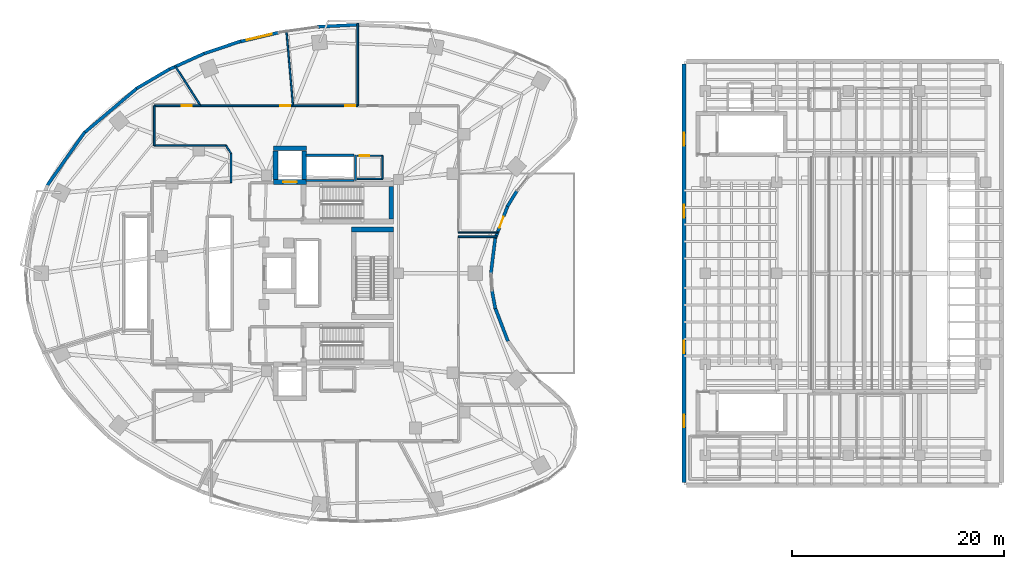
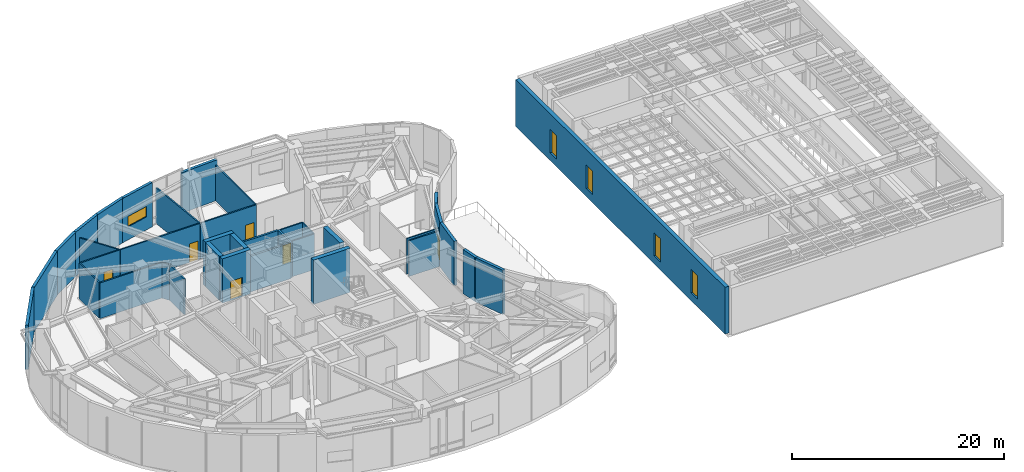
# One storey, part 14 of 19: 37 walls, 6 doors, 5 windows, 11 openings.
"""IFC4 building model written with IfcOpenShell, lengths in metres."""

from ifc_helpers import new_model, si_unit, direction, frame, frame_2d, origin, place, context, subcontext, project, spatial, rectangle, extrude, material, layer, layer_set, type_object, element, fill, save


model = new_model("IFC4")

# Units and contexts
model_context = context("Model", 3, precision=1e-05, world=origin(), true_north=direction((0.0, 1.0)))
body_context = subcontext(model_context, "Body", "Model", "MODEL_VIEW")
ifc_project = project(units=[si_unit("LENGTHUNIT", "METRE"), si_unit("AREAUNIT", "SQUARE_METRE"), si_unit("VOLUMEUNIT", "CUBIC_METRE"), si_unit("PLANEANGLEUNIT", "RADIAN"), si_unit("MASSUNIT", "GRAM", prefix="KILO")], contexts=[model_context])

# Site, building, storey
site_placement = place(None, origin())
site = spatial("IfcSite", under=ifc_project, at=site_placement, CompositionType="ELEMENT")
building_placement = place(site_placement, origin())
building = spatial("IfcBuilding", under=site, at=building_placement, Name="Korentha Bioscience Tower", CompositionType="ELEMENT")
storey_placement = place(building_placement, frame((0.0, 0.0, 20.39990234375)))
storey = spatial("IfcBuildingStorey", under=building, at=storey_placement, Name="L04", CompositionType="ELEMENT", Elevation=20.39990234375)

# Wall, opening, door
ifc_material_1 = material(Name="Double-Stud Acoustic Gypsum", Category="gypsum")
ifc_layer_1 = layer(ifc_material_1, 0.14990234375, Name="Double-Stud Acoustic Gypsum")
ifc_layer_set_1 = layer_set([ifc_layer_1], Name="Double-Stud Acoustic Gypsum (IW-L150)")
wall_type_1 = type_object("IfcWallType", Name="Acoustic Laboratory Partition Wall 150", PredefinedType="PARTITIONING", material=ifc_layer_set_1)
wall_1_placement = place(storey_placement, frame((33.69189453125, 42.81005859375, 0.0), z_axis=(0.0, 0.0, 1.0), x_axis=(-1.0, 0.0, 0.0)))
wall_1 = element("IfcWall", 1, at=wall_1_placement, inside=storey, type_object=wall_type_1, Name="L04 Bioscience Reference Library 09 Entrance Wall", PredefinedType="PARTITIONING", context=body_context, shape_type="SweptSolid", body=[
    extrude(rectangle(XDim=6.099609375, YDim=0.14990234375, at=frame_2d((3.0498046875, 0.0))), origin(), (0.0, 0.0, 1.0), 4.110107421875),
])
opening_1_placement = place(wall_1_placement, frame((0.239990234375, 0.0, 0.0)))
opening_1 = element("IfcOpeningElement", 2, at=opening_1_placement, cuts=wall_1, Name="Opening ID-10L", PredefinedType="OPENING", context=body_context, shape_type="SweptSolid", body=[
    extrude(rectangle(XDim=0.949951171875, YDim=2.14990234375, at=frame_2d((0.47509765625, 1.074951171875))), frame((0.0, 0.08984375, 0.0), z_axis=(0.0, -1.0, 0.0), x_axis=(1.0, 0.0, 0.0)), (0.0, 0.0, 1.0), 0.1796875),
])
ifc_material_2 = material(Name="Phenolic Laminate Timber Core", Category="wood")
door_type_1 = type_object("IfcDoorType", Name="Laboratory Single Leaf Door 950x2150 Left", OperationType="SINGLE_SWING_LEFT", PredefinedType="DOOR", material=ifc_material_2)
door_1_placement = place(opening_1_placement, origin())
door_1 = element("IfcDoor", 3, at=door_1_placement, inside=storey, type_object=door_type_1, Name="L04 Bioscience Reference Library 09 Door", OperationType="SINGLE_SWING_LEFT", OverallHeight=2.14990234375, OverallWidth=0.949951171875, PredefinedType="DOOR", context=body_context, shape_type="SweptSolid", body=[
    extrude(rectangle(XDim=0.949951171875, YDim=2.14990234375, at=frame_2d((0.47509765625, 1.074951171875))), frame((0.0, 0.02490234375, 0.0), z_axis=(0.0, -1.0, 0.0), x_axis=(1.0, 0.0, 0.0)), (0.0, 0.0, 1.0), 0.050048828125),
])
fill(opening_1, door_1)

wall_2_placement = place(storey_placement, frame((27.58251953125, 42.81005859375, 0.0), z_axis=(0.0, 0.0, 1.0), x_axis=(-1.0, 0.0, 0.0)))
wall_2 = element("IfcWall", 4, at=wall_2_placement, inside=storey, type_object=wall_type_1, Name="L04 Courtyard Terrace Dining Cafe 10 Entrance Wall", PredefinedType="PARTITIONING", context=body_context, shape_type="SweptSolid", body=[
    extrude(rectangle(XDim=8.717529296875, YDim=0.14990234375, at=frame_2d((4.35888671875, 0.0))), origin(), (0.0, 0.0, 1.0), 4.110107421875),
])
opening_2_placement = place(wall_2_placement, frame((0.239990234375, 0.0, 0.0)))
opening_2 = element("IfcOpeningElement", 5, at=opening_2_placement, cuts=wall_2, Name="Opening ID-10R", PredefinedType="OPENING", context=body_context, shape_type="SweptSolid", body=[
    extrude(rectangle(XDim=0.949951171875, YDim=2.14990234375, at=frame_2d((0.47509765625, 1.074951171875))), frame((0.0, 0.08984375, 0.0), z_axis=(0.0, -1.0, 0.0), x_axis=(1.0, 0.0, 0.0)), (0.0, 0.0, 1.0), 0.1796875),
])
door_type_2 = type_object("IfcDoorType", Name="Laboratory Single Leaf Door 950x2150 Right", OperationType="SINGLE_SWING_RIGHT", PredefinedType="DOOR", material=ifc_material_2)
door_2_placement = place(opening_2_placement, origin())
door_2 = element("IfcDoor", 6, at=door_2_placement, inside=storey, type_object=door_type_2, Name="L04 Courtyard Terrace Dining Cafe 10 Door", OperationType="SINGLE_SWING_RIGHT", OverallHeight=2.14990234375, OverallWidth=0.949951171875, PredefinedType="DOOR", context=body_context, shape_type="SweptSolid", body=[
    extrude(rectangle(XDim=0.949951171875, YDim=2.14990234375, at=frame_2d((0.47509765625, 1.074951171875))), frame((0.0, 0.02490234375, 0.0), z_axis=(0.0, -1.0, 0.0), x_axis=(1.0, 0.0, 0.0)), (0.0, 0.0, 1.0), 0.050048828125),
])
fill(opening_2, door_2)

wall_3_placement = place(storey_placement, frame((18.853271484375, 42.81005859375, 0.0), z_axis=(0.0, 0.0, 1.0), x_axis=(-1.0, 0.0, 0.0)))
wall_3 = element("IfcWall", 7, at=wall_3_placement, inside=storey, type_object=wall_type_1, Name="L04 Catering Warming Kitchen 11 Entrance Wall", PredefinedType="PARTITIONING", context=body_context, shape_type="SweptSolid", body=[
    extrude(rectangle(XDim=4.353271484375, YDim=0.14990234375, at=frame_2d((2.1767578125, 0.0))), origin(), (0.0, 0.0, 1.0), 4.110107421875),
])
opening_3_placement = place(wall_3_placement, frame((0.80126953125, 0.0, 0.0)))
opening_3 = element("IfcOpeningElement", 8, at=opening_3_placement, cuts=wall_3, Name="Opening ID-10L", PredefinedType="OPENING", context=body_context, shape_type="SweptSolid", body=[
    extrude(rectangle(XDim=0.949951171875, YDim=2.14990234375, at=frame_2d((0.47509765625, 1.074951171875))), frame((0.0, 0.08984375, 0.0), z_axis=(0.0, -1.0, 0.0), x_axis=(1.0, 0.0, 0.0)), (0.0, 0.0, 1.0), 0.1796875),
])
door_3_placement = place(opening_3_placement, origin())
door_3 = element("IfcDoor", 9, at=door_3_placement, inside=storey, type_object=door_type_1, Name="L04 Catering Warming Kitchen 11 Door", OperationType="SINGLE_SWING_LEFT", OverallHeight=2.14990234375, OverallWidth=0.949951171875, PredefinedType="DOOR", context=body_context, shape_type="SweptSolid", body=[
    extrude(rectangle(XDim=0.949951171875, YDim=2.14990234375, at=frame_2d((0.47509765625, 1.074951171875))), frame((0.0, 0.02490234375, 0.0), z_axis=(0.0, -1.0, 0.0), x_axis=(1.0, 0.0, 0.0)), (0.0, 0.0, 1.0), 0.050048828125),
])
fill(opening_3, door_3)

# Walls
wall_4_placement = place(storey_placement, frame((43.2099609375, 30.447998046875, 0.0), z_axis=(0.0, 0.0, 1.0), x_axis=(1.0, 0.0, 0.0)))
element("IfcWall", 10, at=wall_4_placement, inside=storey, type_object=wall_type_1, Name="L04 Interior Partition 042", PredefinedType="PARTITIONING", context=body_context, shape_type="SweptSolid", body=[
    extrude(rectangle(XDim=3.634033203125, YDim=0.14990234375, at=frame_2d((1.81689453125, 0.0))), origin(), (0.0, 0.0, 1.0), 4.110107421875),
])
wall_5_placement = place(storey_placement, frame((33.701904296875, 42.81005859375, 0.0), z_axis=(0.0, 0.0, 1.0), x_axis=(0.0, 1.0, 0.0)))
element("IfcWall", 11, at=wall_5_placement, inside=storey, type_object=wall_type_1, Name="L04 Interior Partition 046", PredefinedType="PARTITIONING", context=body_context, shape_type="SweptSolid", body=[
    extrude(rectangle(XDim=7.766357421875, YDim=0.14990234375, at=frame_2d((3.88330078125, 0.0))), origin(), (0.0, 0.0, 1.0), 4.110107421875),
])
wall_6_placement = place(storey_placement, frame((27.59228515625, 42.81005859375, 0.0), z_axis=(0.0, 0.0, 1.0), x_axis=(-0.087139968074, 0.996196078071, 0.0)))
element("IfcWall", 12, at=wall_6_placement, inside=storey, type_object=wall_type_1, Name="L04 Interior Partition 047", PredefinedType="PARTITIONING", context=body_context, shape_type="SweptSolid", body=[
    extrude(rectangle(XDim=7.18359375, YDim=0.14990234375, at=frame_2d((3.591796875, 0.0))), origin(), (0.0, 0.0, 1.0), 4.110107421875),
])
wall_7_placement = place(storey_placement, frame((18.864990234375, 42.81005859375, 0.0), z_axis=(0.0, 0.0, 1.0), x_axis=(-0.538769890466, 0.842452969089, 0.0)))
element("IfcWall", 13, at=wall_7_placement, inside=storey, type_object=wall_type_1, Name="L04 Interior Partition 048", PredefinedType="PARTITIONING", context=body_context, shape_type="SweptSolid", body=[
    extrude(rectangle(XDim=4.5166015625, YDim=0.14990234375, at=frame_2d((2.25830078125, 0.0))), origin(), (0.0, 0.0, 1.0), 4.110107421875),
])
wall_8_placement = place(storey_placement, frame((14.489990234375, 42.800048828125, 0.0), z_axis=(0.0, 0.0, 1.0), x_axis=(0.0, -1.0, 0.0)))
element("IfcWall", 14, at=wall_8_placement, inside=storey, type_object=wall_type_1, Name="L04 Interior Partition 049", PredefinedType="PARTITIONING", context=body_context, shape_type="SweptSolid", body=[
    extrude(rectangle(XDim=3.75, YDim=0.14990234375, at=frame_2d((1.875, 0.0))), origin(), (0.0, 0.0, 1.0), 4.110107421875),
])
wall_9_placement = place(storey_placement, frame((14.5, 39.0400390625, 0.0), z_axis=(0.0, 0.0, 1.0), x_axis=(1.0, 0.0, 0.0)))
element("IfcWall", 15, at=wall_9_placement, inside=storey, type_object=wall_type_1, Name="L04 Interior Partition 050", PredefinedType="PARTITIONING", context=body_context, shape_type="SweptSolid", body=[
    extrude(rectangle(XDim=6.771240234375, YDim=0.14990234375, at=frame_2d((3.3857421875, 0.0))), origin(), (0.0, 0.0, 1.0), 4.110107421875),
])
wall_10_placement = place(storey_placement, frame((21.271240234375, 39.0400390625, 0.0), z_axis=(0.0, 0.0, 1.0), x_axis=(0.538798848234, -0.842434449166, 0.0)))
element("IfcWall", 16, at=wall_10_placement, inside=storey, type_object=wall_type_1, Name="L04 Interior Partition 051", PredefinedType="PARTITIONING", context=body_context, shape_type="SweptSolid", body=[
    extrude(rectangle(XDim=0.869873046875, YDim=0.14990234375, at=frame_2d((0.43505859375, 0.0))), origin(), (0.0, 0.0, 1.0), 4.110107421875),
])
wall_11_placement = place(storey_placement, frame((21.739990234375, 38.30712890625, 0.0), z_axis=(0.0, 0.0, 1.0), x_axis=(0.0, -1.0, 0.0)))
element("IfcWall", 17, at=wall_11_placement, inside=storey, type_object=wall_type_1, Name="L04 Interior Partition 052", PredefinedType="PARTITIONING", context=body_context, shape_type="SweptSolid", body=[
    extrude(rectangle(XDim=2.7470703125, YDim=0.14990234375, at=frame_2d((1.37353515625, 0.0))), origin(), (0.0, 0.0, 1.0), 4.110107421875),
])
ifc_material_3 = material(Name="Fire-Rated Framed Glass", Category="glass")
ifc_layer_2 = layer(ifc_material_3, 0.110107421875, Name="Fire-Rated Framed Glass")
ifc_layer_set_2 = layer_set([ifc_layer_2], Name="Fire-Rated Framed Glass (IW-G110)")
wall_type_2 = type_object("IfcWallType", Name="Demountable Glazed Office Partition 110", PredefinedType="MOVABLE", material=ifc_layer_set_2)
wall_12_placement = place(storey_placement, frame((46.971435546875, 30.85205078125, 0.0), z_axis=(0.0, 0.0, 1.0), x_axis=(-1.0, 0.0, 0.0)))
element("IfcWall", 18, at=wall_12_placement, inside=storey, type_object=wall_type_2, Name="L04 Interior Partition 043", PredefinedType="MOVABLE", context=body_context, shape_type="SweptSolid", body=[
    extrude(rectangle(XDim=3.761474609375, YDim=0.110107421875, at=frame_2d((1.880859375, 0.0))), origin(), (0.0, 0.0, 1.0), 4.110107421875),
])

# Wall, opening, window
ifc_material_4 = material(Name="Honed Limestone Precast Concrete C40", Category="masonry")
ifc_layer_3 = layer(ifc_material_4, 0.300048828125, Name="Honed Limestone Precast Concrete C40")
ifc_layer_set_3 = layer_set([ifc_layer_3], Name="Honed Limestone Precast Concrete C40 (EW-ST300)")
wall_type_3 = type_object("IfcWallType", Name="Honed Limestone Cavity Spandrel Wall 300", PredefinedType="STANDARD", material=ifc_layer_set_3)
wall_13_placement = place(storey_placement, frame((26.282470703125, 49.73486328125, 0.0), z_axis=(0.0, 0.0, 1.0), x_axis=(-0.973186156802, -0.230018921417, 0.0)))
wall_13 = element("IfcWall", 19, at=wall_13_placement, inside=storey, type_object=wall_type_3, Name="L04 Honed Limestone Spandrel Wall 08", PredefinedType="STANDARD", context=body_context, shape_type="SweptSolid", body=[
    extrude(rectangle(XDim=3.861328125, YDim=0.300048828125, at=frame_2d((1.9306640625, 0.0))), origin(), (0.0, 0.0, 1.0), 5.10009765625),
])
opening_4_placement = place(wall_13_placement, frame((0.730712890625, 0.0, 1.5)))
opening_4 = element("IfcOpeningElement", 20, at=opening_4_placement, cuts=wall_13, Name="Opening WN-04", PredefinedType="OPENING", context=body_context, shape_type="SweptSolid", body=[
    extrude(rectangle(XDim=2.39990234375, YDim=1.199951171875, at=frame_2d((1.199951171875, 0.60009765625))), frame((0.0, 0.1650390625, 0.0), z_axis=(0.0, -1.0, 0.0), x_axis=(1.0, 0.0, 0.0)), (0.0, 0.0, 1.0), 0.329833984375),
])
ifc_material_5 = material(Name="Thermally Broken Aluminium Triple Glazing", Category="aluminium")
window_type_1 = type_object("IfcWindowType", Name="Podium Clerestory Ribbon Window 2400x1200", PartitioningType="DOUBLE_PANEL_HORIZONTAL", PredefinedType="WINDOW", material=ifc_material_5)
window_1_placement = place(opening_4_placement, origin())
window_1 = element("IfcWindow", 21, at=window_1_placement, inside=storey, type_object=window_type_1, Name="L04 Facade Window 08", OverallHeight=1.199951171875, OverallWidth=2.39990234375, PartitioningType="DOUBLE_PANEL_HORIZONTAL", PredefinedType="WINDOW", context=body_context, shape_type="SweptSolid", body=[
    extrude(rectangle(XDim=2.39990234375, YDim=1.199951171875, at=frame_2d((1.199951171875, 0.60009765625))), frame((0.0, 0.030029296875, 0.0), z_axis=(0.0, -1.0, 0.0), x_axis=(1.0, 0.0, 0.0)), (0.0, 0.0, 1.0), 0.06005859375),
])
fill(opening_4, window_1)

# Wall, opening, door
wall_14_placement = place(storey_placement, frame((46.68359375, 30.29541015625, 0.0), z_axis=(0.0, 0.0, 1.0), x_axis=(0.358338531341, 0.933591718556, 0.0)))
wall_14 = element("IfcWall", 22, at=wall_14_placement, inside=storey, type_object=wall_type_3, Name="L04 Courtyard Terrace Threshold Wall", PredefinedType="STANDARD", context=body_context, shape_type="SweptSolid", body=[
    extrude(rectangle(XDim=3.26953125, YDim=0.300048828125, at=frame_2d((1.634765625, 0.0))), origin(), (0.0, 0.0, 1.0), 5.10009765625),
])
opening_5_placement = place(wall_14_placement, frame((1.084716796875, 0.0, 0.0)))
opening_5 = element("IfcOpeningElement", 23, at=opening_5_placement, cuts=wall_14, Name="Opening BD-11L", PredefinedType="OPENING", context=body_context, shape_type="SweptSolid", body=[
    extrude(rectangle(XDim=1.10009765625, YDim=2.14990234375, at=frame_2d((0.550048828125, 1.074951171875))), frame((0.0, 0.1650390625, 0.0), z_axis=(0.0, -1.0, 0.0), x_axis=(1.0, 0.0, 0.0)), (0.0, 0.0, 1.0), 0.329833984375),
])
ifc_material_6 = material(Name="Thermally Broken Glazed Aluminium", Category="aluminium")
door_type_3 = type_object("IfcDoorType", Name="Balcony Terrace Glazed Door 1100x2150 Left", OperationType="SINGLE_SWING_LEFT", PredefinedType="DOOR", material=ifc_material_6)
door_4_placement = place(opening_5_placement, origin())
door_4 = element("IfcDoor", 24, at=door_4_placement, inside=storey, type_object=door_type_3, Name="L04 Courtyard Terrace Door 01", OperationType="SINGLE_SWING_LEFT", OverallHeight=2.14990234375, OverallWidth=1.10009765625, PredefinedType="DOOR", context=body_context, shape_type="SweptSolid", body=[
    extrude(rectangle(XDim=1.10009765625, YDim=2.14990234375, at=frame_2d((0.550048828125, 1.074951171875))), frame((0.0, 0.02490234375, 0.0), z_axis=(0.0, -1.0, 0.0), x_axis=(1.0, 0.0, 0.0)), (0.0, 0.0, 1.0), 0.050048828125),
])
fill(opening_5, door_4)

# Walls
wall_15_placement = place(storey_placement, frame((33.84033203125, 50.46337890625, 0.0), z_axis=(0.0, 0.0, 1.0), x_axis=(-0.998732359232, -0.050335619826, 0.0)))
element("IfcWall", 25, at=wall_15_placement, inside=storey, type_object=wall_type_3, Name="L04 Limestone Perimeter Closure Wall 06", PredefinedType="STANDARD", context=body_context, shape_type="SweptSolid", body=[
    extrude(rectangle(XDim=3.977294921875, YDim=0.300048828125, at=frame_2d((1.98876953125, 0.0))), origin(), (0.0, 0.0, 1.0), 4.670166015625),
])
wall_16_placement = place(storey_placement, frame((22.6669921875, 48.9091796875, 0.0), z_axis=(0.0, 0.0, 1.0), x_axis=(-0.94702579403, -0.321157508773, 0.0)))
element("IfcWall", 26, at=wall_16_placement, inside=storey, type_object=wall_type_3, Name="L04 Limestone Perimeter Closure Wall 09", PredefinedType="STANDARD", context=body_context, shape_type="SweptSolid", body=[
    extrude(rectangle(XDim=3.829833984375, YDim=0.300048828125, at=frame_2d((1.9150390625, 0.0))), origin(), (0.0, 0.0, 1.0), 5.10009765625),
])
wall_17_placement = place(storey_placement, frame((19.201416015625, 47.7431640625, 0.0), z_axis=(0.0, 0.0, 1.0), x_axis=(-0.910623406862, -0.413237233166, 0.0)))
element("IfcWall", 27, at=wall_17_placement, inside=storey, type_object=wall_type_3, Name="L04 Limestone Perimeter Closure Wall 10", PredefinedType="STANDARD", context=body_context, shape_type="SweptSolid", body=[
    extrude(rectangle(XDim=3.73974609375, YDim=0.300048828125, at=frame_2d((1.869873046875, 0.0))), origin(), (0.0, 0.0, 1.0), 5.10009765625),
])
wall_18_placement = place(storey_placement, frame((15.95068359375, 46.27783203125, 0.0), z_axis=(0.0, 0.0, 1.0), x_axis=(-0.8624654944, -0.506115867139, 0.0)))
element("IfcWall", 28, at=wall_18_placement, inside=storey, type_object=wall_type_3, Name="L04 Limestone Perimeter Closure Wall 11", PredefinedType="STANDARD", context=body_context, shape_type="SweptSolid", body=[
    extrude(rectangle(XDim=3.63525390625, YDim=0.300048828125, at=frame_2d((1.817626953125, 0.0))), origin(), (0.0, 0.0, 1.0), 5.10009765625),
])
wall_19_placement = place(storey_placement, frame((12.96484375, 44.5439453125, 0.0), z_axis=(0.0, 0.0, 1.0), x_axis=(-0.764279788114, -0.644884800162, 0.0)))
element("IfcWall", 29, at=wall_19_placement, inside=storey, type_object=wall_type_3, Name="L04 Limestone Perimeter Closure Wall 12", PredefinedType="STANDARD", context=body_context, shape_type="SweptSolid", body=[
    extrude(rectangle(XDim=6.751953125, YDim=0.300048828125, at=frame_2d((3.3759765625, 0.0))), origin(), (0.0, 0.0, 1.0), 5.10009765625),
])
wall_20_placement = place(storey_placement, frame((7.935791015625, 40.333251953125, 0.0), z_axis=(0.0, 0.0, 1.0), x_axis=(-0.575165804445, -0.818036855769, 0.0)))
element("IfcWall", 30, at=wall_20_placement, inside=storey, type_object=wall_type_3, Name="L04 Limestone Perimeter Closure Wall 14", PredefinedType="STANDARD", context=body_context, shape_type="SweptSolid", body=[
    extrude(rectangle(XDim=6.295654296875, YDim=0.300048828125, at=frame_2d((3.14794921875, 0.0))), origin(), (0.0, 0.0, 1.0), 5.10009765625),
])
wall_21_placement = place(storey_placement, frame((47.8837890625, 20.577392578125, 0.0), z_axis=(0.0, 0.0, 1.0), x_axis=(-0.358344570513, 0.933589400531, 0.0)))
element("IfcWall", 31, at=wall_21_placement, inside=storey, type_object=wall_type_3, Name="L04 Limestone Perimeter Closure Wall 46", PredefinedType="STANDARD", context=body_context, shape_type="SweptSolid", body=[
    extrude(rectangle(XDim=3.4296875, YDim=0.300048828125, at=frame_2d((1.71484375, 0.0))), origin(), (0.0, 0.0, 1.0), 5.10009765625),
])
wall_22_placement = place(storey_placement, frame((46.691162109375, 23.650390625, 0.0), z_axis=(0.0, 0.0, 1.0), x_axis=(-0.182230271073, 0.983255881399, 0.0)))
element("IfcWall", 32, at=wall_22_placement, inside=storey, type_object=wall_type_3, Name="L04 Limestone Perimeter Closure Wall 48", PredefinedType="STANDARD", context=body_context, shape_type="SweptSolid", body=[
    extrude(rectangle(XDim=1.7978515625, YDim=0.300048828125, at=frame_2d((0.89892578125, 0.0))), origin(), (0.0, 0.0, 1.0), 5.10009765625),
])
wall_23_placement = place(storey_placement, frame((46.26708984375, 26.937744140625, 0.0), z_axis=(0.0, 0.0, 1.0), x_axis=(0.121870386032, 0.992546023622, 0.0)))
element("IfcWall", 33, at=wall_23_placement, inside=storey, type_object=wall_type_3, Name="L04 Limestone Perimeter Closure Wall 50", PredefinedType="STANDARD", context=body_context, shape_type="SweptSolid", body=[
    extrude(rectangle(XDim=3.4296875, YDim=0.300048828125, at=frame_2d((1.71484375, 0.0))), origin(), (0.0, 0.0, 1.0), 5.10009765625),
])
wall_24_placement = place(storey_placement, frame((47.82470703125, 33.302734375, 0.0), z_axis=(0.0, 0.0, 1.0), x_axis=(0.522520662875, 0.852626622191, 0.0)))
element("IfcWall", 34, at=wall_24_placement, inside=storey, type_object=wall_type_3, Name="L04 Limestone Perimeter Closure Wall 54", PredefinedType="STANDARD", context=body_context, shape_type="SweptSolid", body=[
    extrude(rectangle(XDim=1.7978515625, YDim=0.300048828125, at=frame_2d((0.89892578125, 0.0))), origin(), (0.0, 0.0, 1.0), 5.10009765625),
])
ifc_material_7 = material(Name="Autoclaved Aerated Concrete Block C25", Category="concrete")
ifc_layer_4 = layer(ifc_material_7, 0.199951171875, Name="Autoclaved Aerated Concrete Block C25")
ifc_layer_set_4 = layer_set([ifc_layer_4], Name="Autoclaved Aerated Concrete Block C25 (IW-S200)")
wall_type_4 = type_object("IfcWallType", Name="Lift and Riser Shaft Enclosure Wall 200", PredefinedType="PARTITIONING", material=ifc_layer_set_4)
wall_25_placement = place(storey_placement, frame((33.489990234375, 35.760009765625, 0.0), z_axis=(0.0, 0.0, 1.0), x_axis=(0.0, 1.0, 0.0)))
element("IfcWall", 35, at=wall_25_placement, inside=storey, type_object=wall_type_4, Name="L04 Lift Bank OBS Shaft Wall +X", PredefinedType="PARTITIONING", context=body_context, shape_type="SweptSolid", body=[
    extrude(rectangle(XDim=2.3798828125, YDim=0.199951171875, at=frame_2d((1.18994140625, 0.0))), origin(), (0.0, 0.0, 1.0), 4.110107421875),
])
for number, where, z_axis, x_axis, name in (
    (36, (28.800048828125, 35.760009765625, 0.0), (0.0, 0.0, 1.0), (1.0, 0.0, 0.0), "L04 Lift Bank OBS Shaft Wall -Y"),
    (37, (28.800048828125, 38.139892578125, 0.0), (0.0, 0.0, 1.0), (1.0, 0.0, 0.0), "L04 Lift Bank OBS Shaft Wall +Y"),
):
    element("IfcWall", number, at=place(storey_placement, frame(where, z_axis=z_axis, x_axis=x_axis)), inside=storey, type_object=wall_type_4, Name=name, PredefinedType="PARTITIONING", context=body_context, shape_type="SweptSolid", body=[
        extrude(rectangle(XDim=4.570068359375, YDim=0.199951171875, at=frame_2d((2.28515625, 0.0))), origin(), (0.0, 0.0, 1.0), 4.110107421875),
    ])
ifc_material_8 = material(Name="Concrete C80", Category="concrete")
ifc_layer_5 = layer(ifc_material_8, 0.449951171875, Name="Concrete C80")
ifc_layer_set_5 = layer_set([ifc_layer_5], Name="Concrete C80 (CW-C80)")
wall_type_5 = type_object("IfcWallType", Name="Lower Core Shear Wall 450", PredefinedType="SHEAR", material=ifc_layer_set_5)
wall_26_placement = place(storey_placement, frame((36.875, 32.110107421875, 0.0), z_axis=(0.0, 0.0, 1.0), x_axis=(0.0, 1.0, 0.0)))
element("IfcWall", 38, at=wall_26_placement, inside=storey, type_object=wall_type_5, Name="L04 Core Shear Wall ST1-E", PredefinedType="SHEAR", context=body_context, shape_type="SweptSolid", body=[
    extrude(rectangle(XDim=3.079833984375, YDim=0.449951171875, at=frame_2d((1.5400390625, 0.0))), origin(), (0.0, 0.0, 1.0), 5.10009765625),
])
wall_27_placement = place(storey_placement, frame((33.10009765625, 31.125, 0.0), z_axis=(0.0, 0.0, 1.0), x_axis=(1.0, 0.0, 0.0)))
element("IfcWall", 39, at=wall_27_placement, inside=storey, type_object=wall_type_5, Name="L04 Core Shear Wall ST3-N", PredefinedType="SHEAR", context=body_context, shape_type="SweptSolid", body=[
    extrude(rectangle(XDim=4.0, YDim=0.449951171875, at=frame_2d((2.0, 0.0))), origin(), (0.0, 0.0, 1.0), 5.10009765625),
])
wall_28_placement = place(storey_placement, frame((25.75, 38.800048828125, 0.0), z_axis=(0.0, 0.0, 1.0), x_axis=(1.0, 0.0, 0.0)))
element("IfcWall", 40, at=wall_28_placement, inside=storey, type_object=wall_type_5, Name="L04 Core Shear Wall FFL2-N", PredefinedType="SHEAR", context=body_context, shape_type="SweptSolid", body=[
    extrude(rectangle(XDim=3.10009765625, YDim=0.449951171875, at=frame_2d((1.550048828125, 0.0))), origin(), (0.0, 0.0, 1.0), 5.10009765625),
])

# Wall, opening, door
wall_29_placement = place(storey_placement, frame((25.75, 35.6201171875, 0.0), z_axis=(0.0, 0.0, 1.0), x_axis=(1.0, 0.0, 0.0)))
wall_29 = element("IfcWall", 41, at=wall_29_placement, inside=storey, type_object=wall_type_5, Name="L04 Core Shear Wall FFL2-S", PredefinedType="SHEAR", context=body_context, shape_type="SweptSolid", body=[
    extrude(rectangle(XDim=3.10009765625, YDim=0.449951171875, at=frame_2d((1.550048828125, 0.0))), origin(), (0.0, 0.0, 1.0), 5.10009765625),
])
opening_6_placement = place(wall_29_placement, frame((0.89990234375, 0.0, 0.0)))
opening_6 = element("IfcOpeningElement", 42, at=opening_6_placement, cuts=wall_29, Name="Opening LD-13", PredefinedType="OPENING", context=body_context, shape_type="SweptSolid", body=[
    extrude(rectangle(XDim=1.300048828125, YDim=2.199951171875, at=frame_2d((0.64990234375, 1.10009765625))), frame((0.0, 0.23974609375, 0.0), z_axis=(0.0, -1.0, 0.0), x_axis=(1.0, 0.0, 0.0)), (0.0, 0.0, 1.0), 0.479736328125),
])
ifc_material_9 = material(Name="Brushed Stainless Steel 316", Category="steel")
door_type_4 = type_object("IfcDoorType", Name="Service & Firefighting Lift Landing Door 1300x2300", OperationType="DOUBLE_DOOR_SLIDING", PredefinedType="DOOR", material=ifc_material_9)
door_5_placement = place(opening_6_placement, origin())
door_5 = element("IfcDoor", 43, at=door_5_placement, inside=storey, type_object=door_type_4, Name="L04 FFL-2 Sliding Lift Landing Door", OperationType="DOUBLE_DOOR_SLIDING", OverallHeight=2.199951171875, OverallWidth=1.300048828125, PredefinedType="DOOR", context=body_context, shape_type="SweptSolid", body=[
    extrude(rectangle(XDim=1.300048828125, YDim=2.199951171875, at=frame_2d((0.64990234375, 1.10009765625))), frame((0.0, 0.02490234375, 0.0), z_axis=(0.0, -1.0, 0.0), x_axis=(1.0, 0.0, 0.0)), (0.0, 0.0, 1.0), 0.050048828125),
])
fill(opening_6, door_5)

# Walls
for number, where, z_axis, x_axis, name in (
    (44, (25.949951171875, 35.860107421875, 0.0), (0.0, 0.0, 1.0), (0.0, 1.0, 0.0), "L04 Core Shear Wall FFL2-W"),
    (45, (28.64990234375, 35.860107421875, 0.0), (0.0, 0.0, 1.0), (0.0, 1.0, 0.0), "L04 Core Shear Wall FFL2-E"),
):
    element("IfcWall", number, at=place(storey_placement, frame(where, z_axis=z_axis, x_axis=x_axis)), inside=storey, type_object=wall_type_5, Name=name, PredefinedType="SHEAR", context=body_context, shape_type="SweptSolid", body=[
        extrude(rectangle(XDim=2.699951171875, YDim=0.449951171875, at=frame_2d((1.35009765625, 0.0))), origin(), (0.0, 0.0, 1.0), 5.10009765625),
    ])

# Wall, openings, windows
ifc_material_10 = material(Name="Concrete C50", Category="concrete")
ifc_layer_6 = layer(ifc_material_10, 0.419921875, Name="Concrete C50")
ifc_layer_set_6 = layer_set([ifc_layer_6], Name="Concrete C50 (TW-E420)")
wall_type_6 = type_object("IfcWallType", Name="Theatre Acoustic Shear Wall 420", PredefinedType="SHEAR", material=ifc_layer_set_6)
wall_30_placement = place(storey_placement, frame((64.5, 7.25, 0.0), z_axis=(0.0, 0.0, 1.0), x_axis=(0.0, 1.0, 0.0)))
wall_30 = element("IfcWall", 46, at=wall_30_placement, inside=storey, type_object=wall_type_6, Name="L04 Theatre Acoustic Shear Wall W", PredefinedType="SHEAR", context=body_context, shape_type="SweptSolid", body=[
    extrude(rectangle(XDim=39.5, YDim=0.419921875, at=frame_2d((19.75, 0.0))), origin(), (0.0, 0.0, 1.0), 5.400146484375),
])
opening_7_placement = place(wall_30_placement, frame((5.199951171875, 0.0, 0.89990234375)))
opening_7 = element("IfcOpeningElement", 47, at=opening_7_placement, cuts=wall_30, Name="Opening WN-03", PredefinedType="OPENING", context=body_context, shape_type="SweptSolid", body=[
    extrude(rectangle(XDim=1.199951171875, YDim=2.699951171875, at=frame_2d((0.60009765625, 1.35009765625))), frame((0.0, 0.224853515625, 0.0), z_axis=(0.0, -1.0, 0.0), x_axis=(1.0, 0.0, 0.0)), (0.0, 0.0, 1.0), 0.44970703125),
])
opening_8_placement = place(wall_30_placement, frame((12.199951171875, 0.0, 0.89990234375)))
opening_8 = element("IfcOpeningElement", 48, at=opening_8_placement, cuts=wall_30, Name="Opening WN-03", PredefinedType="OPENING", context=body_context, shape_type="SweptSolid", body=[
    extrude(rectangle(XDim=1.199951171875, YDim=2.699951171875, at=frame_2d((0.60009765625, 1.35009765625))), frame((0.0, 0.224853515625, 0.0), z_axis=(0.0, -1.0, 0.0), x_axis=(1.0, 0.0, 0.0)), (0.0, 0.0, 1.0), 0.44970703125),
])
opening_9_placement = place(wall_30_placement, frame((25.0, 0.0, 0.89990234375)))
opening_9 = element("IfcOpeningElement", 49, at=opening_9_placement, cuts=wall_30, Name="Opening WN-03", PredefinedType="OPENING", context=body_context, shape_type="SweptSolid", body=[
    extrude(rectangle(XDim=1.199951171875, YDim=2.699951171875, at=frame_2d((0.60009765625, 1.35009765625))), frame((0.0, 0.224853515625, 0.0), z_axis=(0.0, -1.0, 0.0), x_axis=(1.0, 0.0, 0.0)), (0.0, 0.0, 1.0), 0.44970703125),
])
opening_10_placement = place(wall_30_placement, frame((31.800048828125, 0.0, 0.89990234375)))
opening_10 = element("IfcOpeningElement", 50, at=opening_10_placement, cuts=wall_30, Name="Opening WN-03", PredefinedType="OPENING", context=body_context, shape_type="SweptSolid", body=[
    extrude(rectangle(XDim=1.199951171875, YDim=2.699951171875, at=frame_2d((0.60009765625, 1.35009765625))), frame((0.0, 0.224853515625, 0.0), z_axis=(0.0, -1.0, 0.0), x_axis=(1.0, 0.0, 0.0)), (0.0, 0.0, 1.0), 0.44970703125),
])
window_type_2 = type_object("IfcWindowType", Name="Theatre Foyer Tall Ribbon Window 1200x2700", PartitioningType="SINGLE_PANEL", PredefinedType="WINDOW", material=ifc_material_5)
window_2_placement = place(opening_7_placement, origin())
window_2 = element("IfcWindow", 51, at=window_2_placement, inside=storey, type_object=window_type_2, Name="L04 Theatre West Foyer Window 1", OverallHeight=2.699951171875, OverallWidth=1.199951171875, PartitioningType="SINGLE_PANEL", PredefinedType="WINDOW", context=body_context, shape_type="SweptSolid", body=[
    extrude(rectangle(XDim=1.199951171875, YDim=2.699951171875, at=frame_2d((0.60009765625, 1.35009765625))), frame((0.0, 0.030029296875, 0.0), z_axis=(0.0, -1.0, 0.0), x_axis=(1.0, 0.0, 0.0)), (0.0, 0.0, 1.0), 0.06005859375),
])
fill(opening_7, window_2)
window_3_placement = place(opening_8_placement, origin())
window_3 = element("IfcWindow", 52, at=window_3_placement, inside=storey, type_object=window_type_2, Name="L04 Theatre West Foyer Window 2", OverallHeight=2.699951171875, OverallWidth=1.199951171875, PartitioningType="SINGLE_PANEL", PredefinedType="WINDOW", context=body_context, shape_type="SweptSolid", body=[
    extrude(rectangle(XDim=1.199951171875, YDim=2.699951171875, at=frame_2d((0.60009765625, 1.35009765625))), frame((0.0, 0.030029296875, 0.0), z_axis=(0.0, -1.0, 0.0), x_axis=(1.0, 0.0, 0.0)), (0.0, 0.0, 1.0), 0.06005859375),
])
fill(opening_8, window_3)
window_4_placement = place(opening_9_placement, origin())
window_4 = element("IfcWindow", 53, at=window_4_placement, inside=storey, type_object=window_type_2, Name="L04 Theatre West Foyer Window 3", OverallHeight=2.699951171875, OverallWidth=1.199951171875, PartitioningType="SINGLE_PANEL", PredefinedType="WINDOW", context=body_context, shape_type="SweptSolid", body=[
    extrude(rectangle(XDim=1.199951171875, YDim=2.699951171875, at=frame_2d((0.60009765625, 1.35009765625))), frame((0.0, 0.030029296875, 0.0), z_axis=(0.0, -1.0, 0.0), x_axis=(1.0, 0.0, 0.0)), (0.0, 0.0, 1.0), 0.06005859375),
])
fill(opening_9, window_4)
window_5_placement = place(opening_10_placement, origin())
window_5 = element("IfcWindow", 54, at=window_5_placement, inside=storey, type_object=window_type_2, Name="L04 Theatre West Foyer Window 4", OverallHeight=2.699951171875, OverallWidth=1.199951171875, PartitioningType="SINGLE_PANEL", PredefinedType="WINDOW", context=body_context, shape_type="SweptSolid", body=[
    extrude(rectangle(XDim=1.199951171875, YDim=2.699951171875, at=frame_2d((0.60009765625, 1.35009765625))), frame((0.0, 0.030029296875, 0.0), z_axis=(0.0, -1.0, 0.0), x_axis=(1.0, 0.0, 0.0)), (0.0, 0.0, 1.0), 0.06005859375),
])
fill(opening_10, window_5)

# Wall, opening, door
ifc_material_11 = material(Name="Cement-Board Steel Stud", Category="steel")
ifc_layer_7 = layer(ifc_material_11, 0.1298828125, Name="Cement-Board Steel Stud")
ifc_layer_set_7 = layer_set([ifc_layer_7], Name="Cement-Board Steel Stud (IW-W130)")
wall_type_7 = type_object("IfcWallType", Name="Wet-Area Moisture-Resistant Partition 130", PredefinedType="PARTITIONING", material=ifc_layer_set_7)
wall_31_placement = place(storey_placement, frame((33.64990234375, 38.090087890625, 0.0), z_axis=(0.0, 0.0, 1.0), x_axis=(1.0, 0.0, 0.0)))
wall_31 = element("IfcWall", 55, at=wall_31_placement, inside=storey, type_object=wall_type_7, Name="L04 Accessible Staff WC Entrance Wall", PredefinedType="PARTITIONING", context=body_context, shape_type="SweptSolid", body=[
    extrude(rectangle(XDim=2.400146484375, YDim=0.1298828125, at=frame_2d((1.2001953125, 0.0))), origin(), (0.0, 0.0, 1.0), 4.110107421875),
])
opening_11_placement = place(wall_31_placement, frame((0.239990234375, 0.0, 0.0)))
opening_11 = element("IfcOpeningElement", 56, at=opening_11_placement, cuts=wall_31, Name="Opening ID-09R", PredefinedType="OPENING", context=body_context, shape_type="SweptSolid", body=[
    extrude(rectangle(XDim=0.89990234375, YDim=2.14990234375, at=frame_2d((0.449951171875, 1.074951171875))), frame((0.0, 0.079833984375, 0.0), z_axis=(0.0, -1.0, 0.0), x_axis=(1.0, 0.0, 0.0)), (0.0, 0.0, 1.0), 0.15966796875),
])
ifc_material_12 = material(Name="Moisture-Resistant HPL Leaf", Category="wood")
door_type_5 = type_object("IfcDoorType", Name="Restroom & Accessible WC Door 900x2150 Right", OperationType="SINGLE_SWING_RIGHT", PredefinedType="DOOR", material=ifc_material_12)
door_6_placement = place(opening_11_placement, origin())
door_6 = element("IfcDoor", 57, at=door_6_placement, inside=storey, type_object=door_type_5, Name="L04 Accessible Staff WC Door", OperationType="SINGLE_SWING_RIGHT", OverallHeight=2.14990234375, OverallWidth=0.89990234375, PredefinedType="DOOR", context=body_context, shape_type="SweptSolid", body=[
    extrude(rectangle(XDim=0.89990234375, YDim=2.14990234375, at=frame_2d((0.449951171875, 1.074951171875))), frame((0.0, 0.02490234375, 0.0), z_axis=(0.0, -1.0, 0.0), x_axis=(1.0, 0.0, 0.0)), (0.0, 0.0, 1.0), 0.050048828125),
])
fill(opening_11, door_6)

# Walls
wall_32_placement = place(storey_placement, frame((36.050048828125, 35.909912109375, 0.0), z_axis=(0.0, 0.0, 1.0), x_axis=(-1.0, 0.0, 0.0)))
element("IfcWall", 58, at=wall_32_placement, inside=storey, type_object=wall_type_7, Name="L04 Interior Partition 022", PredefinedType="PARTITIONING", context=body_context, shape_type="SweptSolid", body=[
    extrude(rectangle(XDim=2.400146484375, YDim=0.1298828125, at=frame_2d((1.2001953125, 0.0))), origin(), (0.0, 0.0, 1.0), 4.110107421875),
])
wall_33_placement = place(storey_placement, frame((36.050048828125, 38.090087890625, 0.0), z_axis=(0.0, 0.0, 1.0), x_axis=(0.0, -1.0, 0.0)))
element("IfcWall", 59, at=wall_33_placement, inside=storey, type_object=wall_type_7, Name="L04 Interior Partition 023", PredefinedType="PARTITIONING", context=body_context, shape_type="SweptSolid", body=[
    extrude(rectangle(XDim=2.18017578125, YDim=0.1298828125, at=frame_2d((1.090087890625, 0.0))), origin(), (0.0, 0.0, 1.0), 4.110107421875),
])

save(model, "model.ifc")
